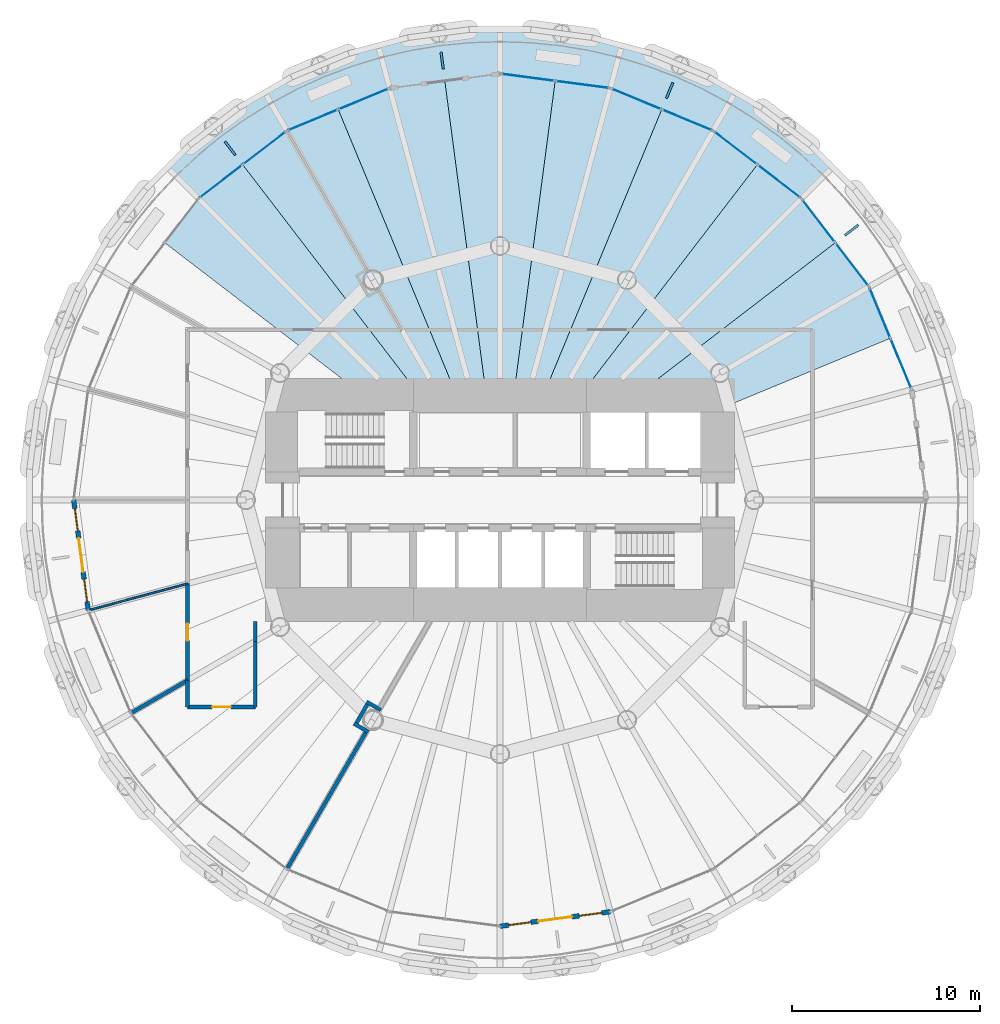
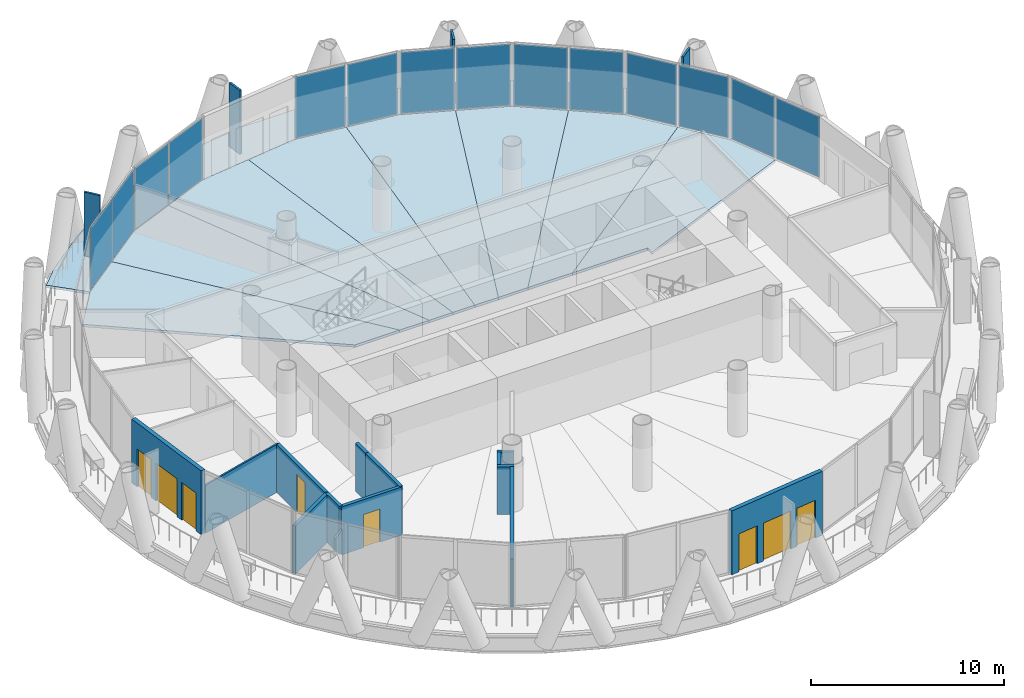
# One storey, part 9 of 15: 18 plates, 13 walls, 9 slabs, 4 doors, 4 windows, 8 openings, 7 elements without a shape of their own.
"""IFC4 building model written with IfcOpenShell, lengths in metres."""

from ifc_helpers import new_model, si_unit, direction, frame, frame_2d, origin, origin_2d, place, context, subcontext, project, spatial, polyline, rectangle, outline, extrude, material, layer, layer_set, type_object, element, fill, aggregate, save


model = new_model("IFC4")

# Units and contexts
model_context = context("Model", 3, precision=1e-05, world=origin(), true_north=direction((0.0, 1.0)))
body_context = subcontext(model_context, "Body", "Model", "MODEL_VIEW")
ifc_project = project(units=[si_unit("LENGTHUNIT", "METRE"), si_unit("AREAUNIT", "SQUARE_METRE"), si_unit("VOLUMEUNIT", "CUBIC_METRE"), si_unit("PLANEANGLEUNIT", "RADIAN"), si_unit("MASSUNIT", "GRAM", prefix="KILO")], contexts=[model_context])

# Site, building, storey
site_placement = place(None, origin())
site = spatial("IfcSite", under=ifc_project, at=site_placement, CompositionType="ELEMENT")
building_placement = place(site_placement, origin())
building = spatial("IfcBuilding", under=site, at=building_placement, Name="Qaws Media Tower", CompositionType="ELEMENT")
storey_placement = place(building_placement, frame((0.0, 0.0, 131.0)))
storey = spatial("IfcBuildingStorey", under=building, at=storey_placement, Name="L29", CompositionType="ELEMENT", Elevation=131.0)

# Slabs
ifc_material_1 = material(Name="Concrete C35/45", Category="concrete")
ifc_layer_1 = layer(ifc_material_1, 0.159912109375)
ifc_layer_set_1 = layer_set([ifc_layer_1], Name="Composite balcony slab 160")
slab_type_1 = type_object("IfcSlabType", Name="Composite balcony slab 160", PredefinedType="FLOOR", material=ifc_layer_set_1)
slab_1_placement = place(storey_placement, frame((0.0, 0.0, -0.159912109375)))
element("IfcSlab", 1, at=slab_1_placement, inside=storey, type_object=slab_type_1, Name="S2 balcony slab L29 R04 to R10, movement joints on R04 and R10", PredefinedType="FLOOR", context=body_context, shape_type="SweptSolid", body=[
    extrude(outline(polyline([(43.4833984375, 68.83349609375), (46.0830078125, 70.828369140625), (48.920654296875, 72.466796875), (51.947998046875, 73.720703125), (55.113037109375, 74.568603515625), (58.36181640625, 74.996337890625), (61.63818359375, 74.996337890625), (64.886962890625, 74.568603515625), (68.052001953125, 73.720703125), (71.079345703125, 72.466796875), (73.9169921875, 70.828369140625), (76.5166015625, 68.83349609375), (77.675048828125, 67.675048828125), (76.01611328125, 66.01611328125), (71.324951171875, 69.615478515625), (65.8623046875, 71.878173828125), (60.0, 72.64990234375), (54.1376953125, 71.878173828125), (48.675048828125, 69.615478515625), (43.98388671875, 66.01611328125), (42.324951171875, 67.675048828125), (43.4833984375, 68.83349609375)])), origin(), (0.0, 0.0, 1.0), 0.159912109375),
])
ifc_material_2 = material(Name="Concrete C35/45", Category="concrete")
ifc_layer_2 = layer(ifc_material_2, 0.159912109375)
ifc_layer_set_2 = layer_set([ifc_layer_2], Name="Composite floor slab 160")
slab_type_2 = type_object("IfcSlabType", Name="Composite floor slab 160", PredefinedType="FLOOR", material=ifc_layer_set_2)
slab_2_placement = place(storey_placement, frame((0.0, 0.0, -0.159912109375)))
element("IfcSlab", 2, at=slab_2_placement, inside=storey, type_object=slab_type_2, Name="S1 floor panel L29 on R03", PredefinedType="FLOOR", context=body_context, shape_type="SweptSolid", body=[
    extrude(outline(polyline([(79.615478515625, 61.324951171875), (80.746826171875, 58.593505859375), (71.0, 54.556396484375), (71.0, 55.0), (66.51611328125, 55.0), (77.815673828125, 63.67041015625), (79.615478515625, 61.324951171875)])), origin(), (0.0, 0.0, 1.0), 0.159912109375),
])
slab_3_placement = place(storey_placement, frame((0.0, 0.0, -0.159912109375)))
element("IfcSlab", 3, at=slab_3_placement, inside=storey, type_object=slab_type_2, Name="S1 floor panel L29 on R04", PredefinedType="FLOOR", context=body_context, shape_type="SweptSolid", body=[
    extrude(outline(polyline([(76.01611328125, 66.01611328125), (77.815673828125, 63.67041015625), (66.51611328125, 55.0), (63.836669921875, 55.0), (73.67041015625, 67.815673828125), (76.01611328125, 66.01611328125)])), origin(), (0.0, 0.0, 1.0), 0.159912109375),
])
slab_4_placement = place(storey_placement, frame((0.0, 0.0, -0.159912109375)))
element("IfcSlab", 4, at=slab_4_placement, inside=storey, type_object=slab_type_2, Name="S1 floor panel L29 on R05", PredefinedType="FLOOR", context=body_context, shape_type="SweptSolid", body=[
    extrude(outline(polyline([(71.324951171875, 69.615478515625), (73.67041015625, 67.815673828125), (63.836669921875, 55.0), (62.071044921875, 55.0), (68.593505859375, 70.746826171875), (71.324951171875, 69.615478515625)])), origin(), (0.0, 0.0, 1.0), 0.159912109375),
])
slab_5_placement = place(storey_placement, frame((0.0, 0.0, -0.159912109375)))
element("IfcSlab", 5, at=slab_5_placement, inside=storey, type_object=slab_type_2, Name="S1 floor panel L29 on R06", PredefinedType="FLOOR", context=body_context, shape_type="SweptSolid", body=[
    extrude(outline(polyline([(65.8623046875, 71.878173828125), (68.593505859375, 70.746826171875), (62.071044921875, 55.0), (60.658203125, 55.0), (62.93115234375, 72.26416015625), (65.8623046875, 71.878173828125)])), origin(), (0.0, 0.0, 1.0), 0.159912109375),
])
slab_6_placement = place(storey_placement, frame((0.0, 0.0, -0.159912109375)))
element("IfcSlab", 6, at=slab_6_placement, inside=storey, type_object=slab_type_2, Name="S1 floor panel L29 on R07", PredefinedType="FLOOR", context=body_context, shape_type="SweptSolid", body=[
    extrude(outline(polyline([(60.0, 72.64990234375), (62.93115234375, 72.26416015625), (60.658203125, 55.0), (59.341796875, 55.0), (57.06884765625, 72.26416015625), (60.0, 72.64990234375)])), origin(), (0.0, 0.0, 1.0), 0.159912109375),
])
slab_7_placement = place(storey_placement, frame((0.0, 0.0, -0.159912109375)))
element("IfcSlab", 7, at=slab_7_placement, inside=storey, type_object=slab_type_2, Name="S1 floor panel L29 on R08", PredefinedType="FLOOR", context=body_context, shape_type="SweptSolid", body=[
    extrude(outline(polyline([(54.1376953125, 71.878173828125), (57.06884765625, 72.26416015625), (59.341796875, 55.0), (57.928955078125, 55.0), (51.406494140625, 70.746826171875), (54.1376953125, 71.878173828125)])), origin(), (0.0, 0.0, 1.0), 0.159912109375),
])
slab_8_placement = place(storey_placement, frame((0.0, 0.0, -0.159912109375)))
element("IfcSlab", 8, at=slab_8_placement, inside=storey, type_object=slab_type_2, Name="S1 floor panel L29 on R09", PredefinedType="FLOOR", context=body_context, shape_type="SweptSolid", body=[
    extrude(outline(polyline([(48.675048828125, 69.615478515625), (51.406494140625, 70.746826171875), (57.928955078125, 55.0), (56.163330078125, 55.0), (46.32958984375, 67.815673828125), (48.675048828125, 69.615478515625)])), origin(), (0.0, 0.0, 1.0), 0.159912109375),
])
slab_9_placement = place(storey_placement, frame((0.0, 0.0, -0.159912109375)))
element("IfcSlab", 9, at=slab_9_placement, inside=storey, type_object=slab_type_2, Name="S1 floor panel L29 on R10", PredefinedType="FLOOR", context=body_context, shape_type="SweptSolid", body=[
    extrude(outline(polyline([(43.98388671875, 66.01611328125), (46.32958984375, 67.815673828125), (56.163330078125, 55.0), (53.48388671875, 55.0), (42.184326171875, 63.67041015625), (43.98388671875, 66.01611328125)])), origin(), (0.0, 0.0, 1.0), 0.159912109375),
])

# Curtain wall, plates
ifc_material_3 = material(Name="Aluminium and clear glass", Category="aluminium")
curtain_wall_type = type_object("IfcCurtainWallType", Name="Unitised curtain wall CW-B", PredefinedType="NOTDEFINED", material=ifc_material_3)
curtain_wall_1_placement = place(storey_placement, origin())
curtain_wall_1 = element("IfcCurtainWall", 10, at=curtain_wall_1_placement, inside=storey, type_object=curtain_wall_type, Name="CWB curtain wall L29-02", PredefinedType="NOTDEFINED")
ifc_material_4 = material(Name="Clear laminated double glazing", Category="glass")
ifc_layer_3 = layer(ifc_material_4, 0.031982421875)
ifc_layer_set_3 = layer_set([ifc_layer_3], Name="Curtain wall glass unit 32")
plate_type_1 = type_object("IfcPlateType", Name="Curtain wall glass unit 32", PredefinedType="CURTAIN_PANEL", material=ifc_layer_set_3)
plate_1_placement = place(storey_placement, frame((81.304931640625, 57.246337890625, 0.080078125), z_axis=(0.0, 0.0, 1.0), x_axis=(-0.382683472258, 0.923879515987, 0.0)))
plate_1 = element("IfcPlate", 11, at=plate_1_placement, type_object=plate_type_1, Name="CWB panel 1.1", PredefinedType="CURTAIN_PANEL", context=body_context, shape_type="SweptSolid", body=[
    extrude(rectangle(XDim=2.83642578125, YDim=0.031982421875, at=origin_2d()), origin(), (0.0, 0.0, 1.0), 3.8798828125),
])
plate_2_placement = place(storey_placement, frame((80.188720703125, 59.94091796875, 0.080078125), z_axis=(0.0, 0.0, 1.0), x_axis=(-0.382683472258, 0.923879515987, 0.0)))
plate_2 = element("IfcPlate", 12, at=plate_2_placement, type_object=plate_type_1, Name="CWB panel 2.1", PredefinedType="CURTAIN_PANEL", context=body_context, shape_type="SweptSolid", body=[
    extrude(rectangle(XDim=2.83642578125, YDim=0.031982421875, at=origin_2d()), origin(), (0.0, 0.0, 1.0), 3.8798828125),
])
aggregate(curtain_wall_1, [plate_1, plate_2])

curtain_wall_2_placement = place(storey_placement, origin())
curtain_wall_2 = element("IfcCurtainWall", 13, at=curtain_wall_2_placement, inside=storey, type_object=curtain_wall_type, Name="CWB curtain wall L29-03", PredefinedType="NOTDEFINED")
plate_3_placement = place(storey_placement, frame((78.703369140625, 62.513671875, 0.080078125), z_axis=(0.0, 0.0, 1.0), x_axis=(-0.608761310482, 0.79335343124, 0.0)))
plate_3 = element("IfcPlate", 14, at=plate_3_placement, type_object=plate_type_1, Name="CWB panel 1.1", PredefinedType="CURTAIN_PANEL", context=body_context, shape_type="SweptSolid", body=[
    extrude(rectangle(XDim=2.83642578125, YDim=0.031982421875, at=origin_2d()), origin(), (0.0, 0.0, 1.0), 3.8798828125),
])
plate_4_placement = place(storey_placement, frame((76.927978515625, 64.827392578125, 0.080078125), z_axis=(0.0, 0.0, 1.0), x_axis=(-0.608761310482, 0.79335343124, 0.0)))
plate_4 = element("IfcPlate", 15, at=plate_4_placement, type_object=plate_type_1, Name="CWB panel 2.1", PredefinedType="CURTAIN_PANEL", context=body_context, shape_type="SweptSolid", body=[
    extrude(rectangle(XDim=2.83642578125, YDim=0.031982421875, at=origin_2d()), origin(), (0.0, 0.0, 1.0), 3.8798828125),
])
aggregate(curtain_wall_2, [plate_3, plate_4])

curtain_wall_3_placement = place(storey_placement, origin())
curtain_wall_3 = element("IfcCurtainWall", 16, at=curtain_wall_3_placement, inside=storey, type_object=curtain_wall_type, Name="CWB curtain wall L29-04", PredefinedType="NOTDEFINED")
plate_5_placement = place(storey_placement, frame((74.827392578125, 66.927978515625, 0.080078125), z_axis=(0.0, 0.0, 1.0), x_axis=(-0.79335343124, 0.608761310482, 0.0)))
plate_5 = element("IfcPlate", 17, at=plate_5_placement, type_object=plate_type_1, Name="CWB panel 1.1", PredefinedType="CURTAIN_PANEL", context=body_context, shape_type="SweptSolid", body=[
    extrude(rectangle(XDim=2.83642578125, YDim=0.031982421875, at=origin_2d()), origin(), (0.0, 0.0, 1.0), 3.8798828125),
])
plate_6_placement = place(storey_placement, frame((72.513671875, 68.703369140625, 0.080078125), z_axis=(0.0, 0.0, 1.0), x_axis=(-0.79335343124, 0.608761310482, 0.0)))
plate_6 = element("IfcPlate", 18, at=plate_6_placement, type_object=plate_type_1, Name="CWB panel 2.1", PredefinedType="CURTAIN_PANEL", context=body_context, shape_type="SweptSolid", body=[
    extrude(rectangle(XDim=2.83642578125, YDim=0.031982421875, at=origin_2d()), origin(), (0.0, 0.0, 1.0), 3.8798828125),
])
aggregate(curtain_wall_3, [plate_5, plate_6])

curtain_wall_4_placement = place(storey_placement, origin())
curtain_wall_4 = element("IfcCurtainWall", 19, at=curtain_wall_4_placement, inside=storey, type_object=curtain_wall_type, Name="CWB curtain wall L29-05", PredefinedType="NOTDEFINED")
plate_7_placement = place(storey_placement, frame((69.94091796875, 70.188720703125, 0.080078125), z_axis=(0.0, 0.0, 1.0), x_axis=(-0.923879515987, 0.382683472258, 0.0)))
plate_7 = element("IfcPlate", 20, at=plate_7_placement, type_object=plate_type_1, Name="CWB panel 1.1", PredefinedType="CURTAIN_PANEL", context=body_context, shape_type="SweptSolid", body=[
    extrude(rectangle(XDim=2.83642578125, YDim=0.031982421875, at=origin_2d()), origin(), (0.0, 0.0, 1.0), 3.8798828125),
])
plate_8_placement = place(storey_placement, frame((67.246337890625, 71.304931640625, 0.080078125), z_axis=(0.0, 0.0, 1.0), x_axis=(-0.923879515987, 0.382683472258, 0.0)))
plate_8 = element("IfcPlate", 21, at=plate_8_placement, type_object=plate_type_1, Name="CWB panel 2.1", PredefinedType="CURTAIN_PANEL", context=body_context, shape_type="SweptSolid", body=[
    extrude(rectangle(XDim=2.83642578125, YDim=0.031982421875, at=origin_2d()), origin(), (0.0, 0.0, 1.0), 3.8798828125),
])
aggregate(curtain_wall_4, [plate_7, plate_8])

curtain_wall_5_placement = place(storey_placement, origin())
curtain_wall_5 = element("IfcCurtainWall", 22, at=curtain_wall_5_placement, inside=storey, type_object=curtain_wall_type, Name="CWB curtain wall L29-06", PredefinedType="NOTDEFINED")
plate_9_placement = place(storey_placement, frame((64.376953125, 72.07373046875, 0.080078125), z_axis=(0.0, 0.0, 1.0), x_axis=(-0.991444861059, 0.130526194608, 0.0)))
plate_9 = element("IfcPlate", 23, at=plate_9_placement, type_object=plate_type_1, Name="CWB panel 1.1", PredefinedType="CURTAIN_PANEL", context=body_context, shape_type="SweptSolid", body=[
    extrude(rectangle(XDim=2.83642578125, YDim=0.031982421875, at=origin_2d()), origin(), (0.0, 0.0, 1.0), 3.8798828125),
])
plate_10_placement = place(storey_placement, frame((61.4853515625, 72.454345703125, 0.080078125), z_axis=(0.0, 0.0, 1.0), x_axis=(-0.991444861059, 0.130526194608, 0.0)))
plate_10 = element("IfcPlate", 24, at=plate_10_placement, type_object=plate_type_1, Name="CWB panel 2.1", PredefinedType="CURTAIN_PANEL", context=body_context, shape_type="SweptSolid", body=[
    extrude(rectangle(XDim=2.83642578125, YDim=0.031982421875, at=origin_2d()), origin(), (0.0, 0.0, 1.0), 3.8798828125),
])
aggregate(curtain_wall_5, [plate_9, plate_10])

curtain_wall_6_placement = place(storey_placement, origin())
curtain_wall_6 = element("IfcCurtainWall", 25, at=curtain_wall_6_placement, inside=storey, type_object=curtain_wall_type, Name="CWB curtain wall L29-08", PredefinedType="NOTDEFINED")
plate_11_placement = place(storey_placement, frame((52.753662109375, 71.304931640625, 0.080078125), z_axis=(0.0, 0.0, 1.0), x_axis=(-0.923879515987, -0.382683472258, 0.0)))
plate_11 = element("IfcPlate", 26, at=plate_11_placement, type_object=plate_type_1, Name="CWB panel 1.1", PredefinedType="CURTAIN_PANEL", context=body_context, shape_type="SweptSolid", body=[
    extrude(rectangle(XDim=2.83642578125, YDim=0.031982421875, at=origin_2d()), origin(), (0.0, 0.0, 1.0), 3.8798828125),
])
plate_12_placement = place(storey_placement, frame((50.05908203125, 70.188720703125, 0.080078125), z_axis=(0.0, 0.0, 1.0), x_axis=(-0.923879515987, -0.382683472258, 0.0)))
plate_12 = element("IfcPlate", 27, at=plate_12_placement, type_object=plate_type_1, Name="CWB panel 2.1", PredefinedType="CURTAIN_PANEL", context=body_context, shape_type="SweptSolid", body=[
    extrude(rectangle(XDim=2.83642578125, YDim=0.031982421875, at=origin_2d()), origin(), (0.0, 0.0, 1.0), 3.8798828125),
])
aggregate(curtain_wall_6, [plate_11, plate_12])

curtain_wall_7_placement = place(storey_placement, origin())
curtain_wall_7 = element("IfcCurtainWall", 28, at=curtain_wall_7_placement, inside=storey, type_object=curtain_wall_type, Name="CWB curtain wall L29-09", PredefinedType="NOTDEFINED")
plate_13_placement = place(storey_placement, frame((47.486328125, 68.703369140625, 0.080078125), z_axis=(0.0, 0.0, 1.0), x_axis=(-0.79335343124, -0.608761310482, 0.0)))
plate_13 = element("IfcPlate", 29, at=plate_13_placement, type_object=plate_type_1, Name="CWB panel 1.1", PredefinedType="CURTAIN_PANEL", context=body_context, shape_type="SweptSolid", body=[
    extrude(rectangle(XDim=2.83642578125, YDim=0.031982421875, at=origin_2d()), origin(), (0.0, 0.0, 1.0), 3.8798828125),
])
plate_14_placement = place(storey_placement, frame((45.172607421875, 66.927978515625, 0.080078125), z_axis=(0.0, 0.0, 1.0), x_axis=(-0.79335343124, -0.608761310482, 0.0)))
plate_14 = element("IfcPlate", 30, at=plate_14_placement, type_object=plate_type_1, Name="CWB panel 2.1", PredefinedType="CURTAIN_PANEL", context=body_context, shape_type="SweptSolid", body=[
    extrude(rectangle(XDim=2.83642578125, YDim=0.031982421875, at=origin_2d()), origin(), (0.0, 0.0, 1.0), 3.8798828125),
])
aggregate(curtain_wall_7, [plate_13, plate_14])

# Plates
ifc_material_5 = material(Name="Precast concrete screen fin", Category="concrete")
ifc_layer_4 = layer(ifc_material_5, 0.1201171875)
ifc_layer_set_4 = layer_set([ifc_layer_4], Name="Screen fin 120x900")
plate_type_2 = type_object("IfcPlateType", Name="Screen fin 120x900", PredefinedType="USERDEFINED", material=ifc_layer_set_4)
for number, where, z_axis, x_axis, name in (
    (31, (78.683349609375, 64.33642578125, 0.0), (0.0, 0.0, 1.0), (0.793353340291, 0.608761429009, 0.0), "SCR1 screen fin L29-02"),
    (32, (69.01220703125, 71.75732421875, 0.0), (0.0, 0.0, 1.0), (0.382683432365, 0.923879532511, 0.0), "SCR1 screen fin L29-03"),
    (33, (56.926025390625, 73.3486328125, 0.0), (0.0, 0.0, 1.0), (-0.13052619222, 0.991444861374, 0.0), "SCR1 screen fin L29-04"),
    (34, (45.66357421875, 68.683349609375, 0.0), (0.0, 0.0, 1.0), (-0.608761429009, 0.793353340291, 0.0), "SCR1 screen fin L29-05"),
):
    element("IfcPlate", number, at=place(storey_placement, frame(where, z_axis=z_axis, x_axis=x_axis)), inside=storey, type_object=plate_type_2, Name=name, ObjectType="SCREEN", PredefinedType="USERDEFINED", context=body_context, shape_type="SweptSolid", body=[
        extrude(rectangle(XDim=0.89990234375, YDim=0.1201171875, at=origin_2d()), origin(), (0.0, 0.0, 1.0), 4.0400390625),
    ])

# Wall, openings, door, windows
ifc_material_6 = material(Name="Precast concrete, exposed finish", Category="concrete")
ifc_layer_5 = layer(ifc_material_6, 0.25)
ifc_layer_set_5 = layer_set([ifc_layer_5], Name="Balcony door wall 250")
wall_type_1 = type_object("IfcWallType", Name="Balcony door wall 250", PredefinedType="SOLIDWALL", material=ifc_layer_set_5)
wall_1_placement = place(storey_placement, frame((37.35009765625, 50.0, 0.0), z_axis=(0.0, 0.0, 1.0), x_axis=(0.130516460787, -0.991446142493, 0.0)))
wall_1 = element("IfcWall", 35, at=wall_1_placement, inside=storey, type_object=wall_type_1, Name="W182 EW1 balcony door wall L29-13", PredefinedType="SOLIDWALL", context=body_context, shape_type="SweptSolid", body=[
    extrude(rectangle(XDim=5.912841796875, YDim=0.25, at=frame_2d((2.95654296875, 0.0))), origin(), (0.0, 0.0, 1.0), 4.0400390625),
])
opening_1_placement = place(wall_1_placement, frame((2.056396484375, 0.0, 0.0)))
opening_1 = element("IfcOpeningElement", 36, at=opening_1_placement, cuts=wall_1, Name="Opening D7", PredefinedType="OPENING", context=body_context, shape_type="SweptSolid", body=[
    extrude(rectangle(XDim=1.800048828125, YDim=2.39990234375, at=frame_2d((0.89990234375, 1.199951171875))), frame((0.0, 0.135009765625, 0.0), z_axis=(0.0, -1.0, 0.0), x_axis=(1.0, 0.0, 0.0)), (0.0, 0.0, 1.0), 0.27001953125),
])
opening_2_placement = place(wall_1_placement, frame((0.456298828125, 0.0, 0.0)))
opening_2 = element("IfcOpeningElement", 37, at=opening_2_placement, cuts=wall_1, Name="Opening W1", PredefinedType="OPENING", context=body_context, shape_type="SweptSolid", body=[
    extrude(rectangle(XDim=1.199951171875, YDim=2.39990234375, at=frame_2d((0.60009765625, 1.199951171875))), frame((0.0, 0.135009765625, 0.0), z_axis=(0.0, -1.0, 0.0), x_axis=(1.0, 0.0, 0.0)), (0.0, 0.0, 1.0), 0.27001953125),
])
opening_3_placement = place(wall_1_placement, frame((4.25634765625, 0.0, 0.0)))
opening_3 = element("IfcOpeningElement", 38, at=opening_3_placement, cuts=wall_1, Name="Opening W1", PredefinedType="OPENING", context=body_context, shape_type="SweptSolid", body=[
    extrude(rectangle(XDim=1.199951171875, YDim=2.39990234375, at=frame_2d((0.60009765625, 1.199951171875))), frame((0.0, 0.135009765625, 0.0), z_axis=(0.0, -1.0, 0.0), x_axis=(1.0, 0.0, 0.0)), (0.0, 0.0, 1.0), 0.27001953125),
])
ifc_material_7 = material(Name="Aluminium and clear glass", Category="aluminium")
door_type_1 = type_object("IfcDoorType", Name="Balcony door pair 1800", OperationType="DOUBLE_DOOR_SLIDING", PredefinedType="DOOR", material=ifc_material_7)
door_1_placement = place(opening_1_placement, origin())
door_1 = element("IfcDoor", 39, at=door_1_placement, inside=storey, type_object=door_type_1, Name="D7 balcony door L29-13 in wall W182", OperationType="DOUBLE_DOOR_SLIDING", OverallHeight=2.39990234375, OverallWidth=1.800048828125, PredefinedType="DOOR", context=body_context, shape_type="SweptSolid", body=[
    extrude(rectangle(XDim=1.800048828125, YDim=2.39990234375, at=frame_2d((0.89990234375, 1.199951171875))), frame((0.0, 0.02490234375, 0.0), z_axis=(0.0, -1.0, 0.0), x_axis=(1.0, 0.0, 0.0)), (0.0, 0.0, 1.0), 0.050048828125),
])
fill(opening_1, door_1)
ifc_material_8 = material(Name="Aluminium and clear glass", Category="aluminium")
window_type = type_object("IfcWindowType", Name="Balcony side window 1200", PartitioningType="SINGLE_PANEL", PredefinedType="WINDOW", material=ifc_material_8)
window_1_placement = place(opening_2_placement, origin())
window_1 = element("IfcWindow", 40, at=window_1_placement, inside=storey, type_object=window_type, Name="W1 balcony side light L29-13L", OverallHeight=2.39990234375, OverallWidth=1.199951171875, PartitioningType="SINGLE_PANEL", PredefinedType="WINDOW", context=body_context, shape_type="SweptSolid", body=[
    extrude(rectangle(XDim=1.199951171875, YDim=2.39990234375, at=frame_2d((0.60009765625, 1.199951171875))), frame((0.0, 0.030029296875, 0.0), z_axis=(0.0, -1.0, 0.0), x_axis=(1.0, 0.0, 0.0)), (0.0, 0.0, 1.0), 0.06005859375),
])
fill(opening_2, window_1)
window_2_placement = place(opening_3_placement, origin())
window_2 = element("IfcWindow", 41, at=window_2_placement, inside=storey, type_object=window_type, Name="W1 balcony side light L29-13R", OverallHeight=2.39990234375, OverallWidth=1.199951171875, PartitioningType="SINGLE_PANEL", PredefinedType="WINDOW", context=body_context, shape_type="SweptSolid", body=[
    extrude(rectangle(XDim=1.199951171875, YDim=2.39990234375, at=frame_2d((0.60009765625, 1.199951171875))), frame((0.0, 0.030029296875, 0.0), z_axis=(0.0, -1.0, 0.0), x_axis=(1.0, 0.0, 0.0)), (0.0, 0.0, 1.0), 0.06005859375),
])
fill(opening_3, window_2)

wall_2_placement = place(storey_placement, frame((60.0, 27.35009765625, 0.0), z_axis=(0.0, 0.0, 1.0), x_axis=(0.991446142493, 0.130516460787, 0.0)))
wall_2 = element("IfcWall", 42, at=wall_2_placement, inside=storey, type_object=wall_type_1, Name="W183 EW1 balcony door wall L29-19", PredefinedType="SOLIDWALL", context=body_context, shape_type="SweptSolid", body=[
    extrude(rectangle(XDim=5.912841796875, YDim=0.25, at=frame_2d((2.95654296875, 0.0))), origin(), (0.0, 0.0, 1.0), 4.0400390625),
])
opening_4_placement = place(wall_2_placement, frame((2.056396484375, 0.0, 0.0)))
opening_4 = element("IfcOpeningElement", 43, at=opening_4_placement, cuts=wall_2, Name="Opening D7", PredefinedType="OPENING", context=body_context, shape_type="SweptSolid", body=[
    extrude(rectangle(XDim=1.800048828125, YDim=2.39990234375, at=frame_2d((0.89990234375, 1.199951171875))), frame((0.0, 0.135009765625, 0.0), z_axis=(0.0, -1.0, 0.0), x_axis=(1.0, 0.0, 0.0)), (0.0, 0.0, 1.0), 0.27001953125),
])
opening_5_placement = place(wall_2_placement, frame((0.456298828125, 0.0, 0.0)))
opening_5 = element("IfcOpeningElement", 44, at=opening_5_placement, cuts=wall_2, Name="Opening W1", PredefinedType="OPENING", context=body_context, shape_type="SweptSolid", body=[
    extrude(rectangle(XDim=1.199951171875, YDim=2.39990234375, at=frame_2d((0.60009765625, 1.199951171875))), frame((0.0, 0.135009765625, 0.0), z_axis=(0.0, -1.0, 0.0), x_axis=(1.0, 0.0, 0.0)), (0.0, 0.0, 1.0), 0.27001953125),
])
opening_6_placement = place(wall_2_placement, frame((4.25634765625, 0.0, 0.0)))
opening_6 = element("IfcOpeningElement", 45, at=opening_6_placement, cuts=wall_2, Name="Opening W1", PredefinedType="OPENING", context=body_context, shape_type="SweptSolid", body=[
    extrude(rectangle(XDim=1.199951171875, YDim=2.39990234375, at=frame_2d((0.60009765625, 1.199951171875))), frame((0.0, 0.135009765625, 0.0), z_axis=(0.0, -1.0, 0.0), x_axis=(1.0, 0.0, 0.0)), (0.0, 0.0, 1.0), 0.27001953125),
])
door_2_placement = place(opening_4_placement, origin())
door_2 = element("IfcDoor", 46, at=door_2_placement, inside=storey, type_object=door_type_1, Name="D7 balcony door L29-19 in wall W183", OperationType="DOUBLE_DOOR_SLIDING", OverallHeight=2.39990234375, OverallWidth=1.800048828125, PredefinedType="DOOR", context=body_context, shape_type="SweptSolid", body=[
    extrude(rectangle(XDim=1.800048828125, YDim=2.39990234375, at=frame_2d((0.89990234375, 1.199951171875))), frame((0.0, 0.02490234375, 0.0), z_axis=(0.0, -1.0, 0.0), x_axis=(1.0, 0.0, 0.0)), (0.0, 0.0, 1.0), 0.050048828125),
])
fill(opening_4, door_2)
window_3_placement = place(opening_5_placement, origin())
window_3 = element("IfcWindow", 47, at=window_3_placement, inside=storey, type_object=window_type, Name="W1 balcony side light L29-19L", OverallHeight=2.39990234375, OverallWidth=1.199951171875, PartitioningType="SINGLE_PANEL", PredefinedType="WINDOW", context=body_context, shape_type="SweptSolid", body=[
    extrude(rectangle(XDim=1.199951171875, YDim=2.39990234375, at=frame_2d((0.60009765625, 1.199951171875))), frame((0.0, 0.030029296875, 0.0), z_axis=(0.0, -1.0, 0.0), x_axis=(1.0, 0.0, 0.0)), (0.0, 0.0, 1.0), 0.06005859375),
])
fill(opening_5, window_3)
window_4_placement = place(opening_6_placement, origin())
window_4 = element("IfcWindow", 48, at=window_4_placement, inside=storey, type_object=window_type, Name="W1 balcony side light L29-19R", OverallHeight=2.39990234375, OverallWidth=1.199951171875, PartitioningType="SINGLE_PANEL", PredefinedType="WINDOW", context=body_context, shape_type="SweptSolid", body=[
    extrude(rectangle(XDim=1.199951171875, YDim=2.39990234375, at=frame_2d((0.60009765625, 1.199951171875))), frame((0.0, 0.030029296875, 0.0), z_axis=(0.0, -1.0, 0.0), x_axis=(1.0, 0.0, 0.0)), (0.0, 0.0, 1.0), 0.06005859375),
])
fill(opening_6, window_4)

# Walls
ifc_material_9 = material(Name="Gypsum board on 70 metal studs, single layer each side", Category="gypsum")
ifc_layer_6 = layer(ifc_material_9, 0.10009765625)
ifc_layer_set_6 = layer_set([ifc_layer_6], Name="Office stud partition 100")
wall_type_2 = type_object("IfcWallType", Name="Office stud partition 100", PredefinedType="PARTITIONING", material=ifc_layer_set_6)
wall_3_placement = place(storey_placement, frame((43.405517578125, 45.553466796875, 0.0), z_axis=(0.0, 0.0, 1.0), x_axis=(-0.965931695583, -0.258797139607, 0.0)))
element("IfcWall", 49, at=wall_3_placement, inside=storey, type_object=wall_type_2, Name="W666 IW4 partition L29", PredefinedType="PARTITIONING", context=body_context, shape_type="SweptSolid", body=[
    extrude(rectangle(XDim=5.330078125, YDim=0.10009765625, at=frame_2d((2.6650390625, 0.0))), origin(), (0.0, 0.0, 1.0), 3.0400390625),
])
ifc_material_10 = material(Name="Gypsum board on galvanised metal studs, acoustic double stud, deflection head", Category="gypsum")
ifc_layer_7 = layer(ifc_material_10, 0.199951171875)
ifc_layer_set_7 = layer_set([ifc_layer_7], Name="Room partition 200")
wall_type_3 = type_object("IfcWallType", Name="Room partition 200", PredefinedType="PARTITIONING", material=ifc_layer_set_7)
wall_4_placement = place(storey_placement, frame((47.0, 43.550048828125, 0.0), z_axis=(0.0, 0.0, 1.0), x_axis=(0.0, -1.0, 0.0)))
element("IfcWall", 50, at=wall_4_placement, inside=storey, type_object=wall_type_3, Name="W1224 IW3 partition L29", PredefinedType="PARTITIONING", context=body_context, shape_type="SweptSolid", body=[
    extrude(rectangle(XDim=1.0556640625, YDim=0.199951171875, at=frame_2d((0.52783203125, 0.0))), origin(), (0.0, 0.0, 1.0), 3.0400390625),
])
wall_5_placement = place(storey_placement, frame((47.0, 42.494384765625, 0.0), z_axis=(0.0, 0.0, 1.0), x_axis=(0.0, -1.0, 0.0)))
element("IfcWall", 51, at=wall_5_placement, inside=storey, type_object=wall_type_3, Name="W1223 IW3 partition L29", PredefinedType="PARTITIONING", context=body_context, shape_type="SweptSolid", body=[
    extrude(rectangle(XDim=3.494384765625, YDim=0.199951171875, at=frame_2d((1.7470703125, 0.0))), origin(), (0.0, 0.0, 1.0), 3.0400390625),
])

# Wall, opening, door
wall_6_placement = place(storey_placement, frame((47.0, 39.0, 0.0), z_axis=(0.0, 0.0, 1.0), x_axis=(-1.0, 0.0, 0.0)))
wall_6 = element("IfcWall", 52, at=wall_6_placement, inside=storey, type_object=wall_type_3, Name="W1253 IW3 partition L29", PredefinedType="PARTITIONING", context=body_context, shape_type="SweptSolid", body=[
    extrude(rectangle(XDim=3.60009765625, YDim=0.199951171875, at=frame_2d((1.800048828125, 0.0))), origin(), (0.0, 0.0, 1.0), 3.0400390625),
])
opening_7_placement = place(wall_6_placement, frame((1.300048828125, 0.0, 0.0)))
opening_7 = element("IfcOpeningElement", 53, at=opening_7_placement, cuts=wall_6, Name="Opening D5", PredefinedType="OPENING", context=body_context, shape_type="SweptSolid", body=[
    extrude(rectangle(XDim=1.0, YDim=2.10009765625, at=frame_2d((0.5, 1.050048828125))), frame((0.0, 0.10986328125, 0.0), z_axis=(0.0, -1.0, 0.0), x_axis=(1.0, 0.0, 0.0)), (0.0, 0.0, 1.0), 0.219970703125),
])
ifc_material_11 = material(Name="Timber veneered, acoustic seal", Category="wood")
door_type_2 = type_object("IfcDoorType", Name="Room door 1000", OperationType="SINGLE_SWING_LEFT", PredefinedType="DOOR", material=ifc_material_11)
door_3_placement = place(opening_7_placement, origin())
door_3 = element("IfcDoor", 54, at=door_3_placement, inside=storey, type_object=door_type_2, Name="D5 Finance office door L29 in wall W1253", OperationType="SINGLE_SWING_LEFT", OverallHeight=2.10009765625, OverallWidth=1.0, PredefinedType="DOOR", context=body_context, shape_type="SweptSolid", body=[
    extrude(rectangle(XDim=1.0, YDim=2.10009765625, at=frame_2d((0.5, 1.050048828125))), frame((0.0, 0.02490234375, 0.0), z_axis=(0.0, -1.0, 0.0), x_axis=(1.0, 0.0, 0.0)), (0.0, 0.0, 1.0), 0.050048828125),
])
fill(opening_7, door_3)

# Wall
wall_7_placement = place(storey_placement, frame((43.39990234375, 39.0, 0.0), z_axis=(0.0, 0.0, 1.0), x_axis=(0.0, 1.0, 0.0)))
element("IfcWall", 55, at=wall_7_placement, inside=storey, type_object=wall_type_3, Name="W1245 IW3 partition L29", PredefinedType="PARTITIONING", context=body_context, shape_type="SweptSolid", body=[
    extrude(rectangle(XDim=1.416015625, YDim=0.199951171875, at=frame_2d((0.7080078125, 0.0))), origin(), (0.0, 0.0, 1.0), 3.0400390625),
])

# Wall, opening, door
wall_8_placement = place(storey_placement, frame((43.39990234375, 40.416015625, 0.0), z_axis=(0.0, 0.0, 1.0), x_axis=(0.0, 1.0, 0.0)))
wall_8 = element("IfcWall", 56, at=wall_8_placement, inside=storey, type_object=wall_type_3, Name="W1246 IW3 partition L29", PredefinedType="PARTITIONING", context=body_context, shape_type="SweptSolid", body=[
    extrude(rectangle(XDim=5.135986328125, YDim=0.199951171875, at=frame_2d((2.56787109375, 0.0))), origin(), (0.0, 0.0, 1.0), 3.0400390625),
])
opening_8_placement = place(wall_8_placement, frame((2.117919921875, 0.0, 0.0)))
opening_8 = element("IfcOpeningElement", 57, at=opening_8_placement, cuts=wall_8, Name="Opening D12", PredefinedType="OPENING", context=body_context, shape_type="SweptSolid", body=[
    extrude(rectangle(XDim=0.89990234375, YDim=2.39990234375, at=frame_2d((0.449951171875, 1.199951171875))), frame((0.0, 0.10986328125, 0.0), z_axis=(0.0, -1.0, 0.0), x_axis=(1.0, 0.0, 0.0)), (0.0, 0.0, 1.0), 0.219970703125),
])
ifc_material_12 = material(Name="Timber veneered, full height", Category="wood")
door_type_3 = type_object("IfcDoorType", Name="Office door 900x2400", OperationType="SINGLE_SWING_LEFT", PredefinedType="DOOR", material=ifc_material_12)
door_4_placement = place(opening_8_placement, origin())
door_4 = element("IfcDoor", 58, at=door_4_placement, inside=storey, type_object=door_type_3, Name="D12 Office door L29 in wall W1246", OperationType="SINGLE_SWING_LEFT", OverallHeight=2.39990234375, OverallWidth=0.89990234375, PredefinedType="DOOR", context=body_context, shape_type="SweptSolid", body=[
    extrude(rectangle(XDim=0.89990234375, YDim=2.39990234375, at=frame_2d((0.449951171875, 1.199951171875))), frame((0.0, 0.02490234375, 0.0), z_axis=(0.0, -1.0, 0.0), x_axis=(1.0, 0.0, 0.0)), (0.0, 0.0, 1.0), 0.050048828125),
])
fill(opening_8, door_4)

# Walls
wall_9_placement = place(storey_placement, frame((43.406982421875, 40.419921875, 0.0), z_axis=(0.0, 0.0, 1.0), x_axis=(-0.866044174857, -0.499967486139, 0.0)))
element("IfcWall", 59, at=wall_9_placement, inside=storey, type_object=wall_type_3, Name="W1274 IW3 partition L29", PredefinedType="PARTITIONING", context=body_context, shape_type="SweptSolid", body=[
    extrude(rectangle(XDim=3.449951171875, YDim=0.199951171875, at=frame_2d((1.72509765625, 0.0))), origin(), (0.0, 0.0, 1.0), 3.0400390625),
])
for number, where, z_axis, x_axis, name in (
    (60, (53.670654296875, 38.837158203125, 0.0), (0.0, 0.0, 1.0), (-0.86607910459, 0.49990697594, 0.0), "W1257 IW3 partition return L29"),
    (61, (53.002685546875, 37.68017578125, 0.0), (0.0, 0.0, 1.0), (-0.86607910459, 0.49990697594, 0.0), "W1256 IW3 partition return L29"),
):
    element("IfcWall", number, at=place(storey_placement, frame(where, z_axis=z_axis, x_axis=x_axis)), inside=storey, type_object=wall_type_3, Name=name, PredefinedType="PARTITIONING", context=body_context, shape_type="SweptSolid", body=[
        extrude(rectangle(XDim=0.878173828125, YDim=0.199951171875, at=frame_2d((0.43896484375, 0.0))), origin(), (0.0, 0.0, 1.0), 3.02001953125),
    ])
wall_10_placement = place(storey_placement, frame((52.94677734375, 39.1396484375, 0.0), z_axis=(0.0, 0.0, 1.0), x_axis=(-0.499883687939, -0.866092546171, 0.0)))
element("IfcWall", 62, at=wall_10_placement, inside=storey, type_object=wall_type_3, Name="W1255 IW3 partition return L29", PredefinedType="PARTITIONING", context=body_context, shape_type="SweptSolid", body=[
    extrude(rectangle(XDim=1.135986328125, YDim=0.199951171875, at=frame_2d((0.56787109375, 0.0))), origin(), (0.0, 0.0, 1.0), 3.02001953125),
])
wall_11_placement = place(storey_placement, frame((52.865966796875, 37.6435546875, 0.0), z_axis=(0.0, 0.0, 1.0), x_axis=(-0.499991838624, -0.866030115706, 0.0)))
element("IfcWall", 63, at=wall_11_placement, inside=storey, type_object=wall_type_3, Name="W1275 IW3 partition L29", PredefinedType="PARTITIONING", context=body_context, shape_type="SweptSolid", body=[
    extrude(rectangle(XDim=8.342041015625, YDim=0.199951171875, at=frame_2d((4.1708984375, 0.0))), origin(), (0.0, 0.0, 1.0), 3.0400390625),
])

save(model, "model.ifc")
